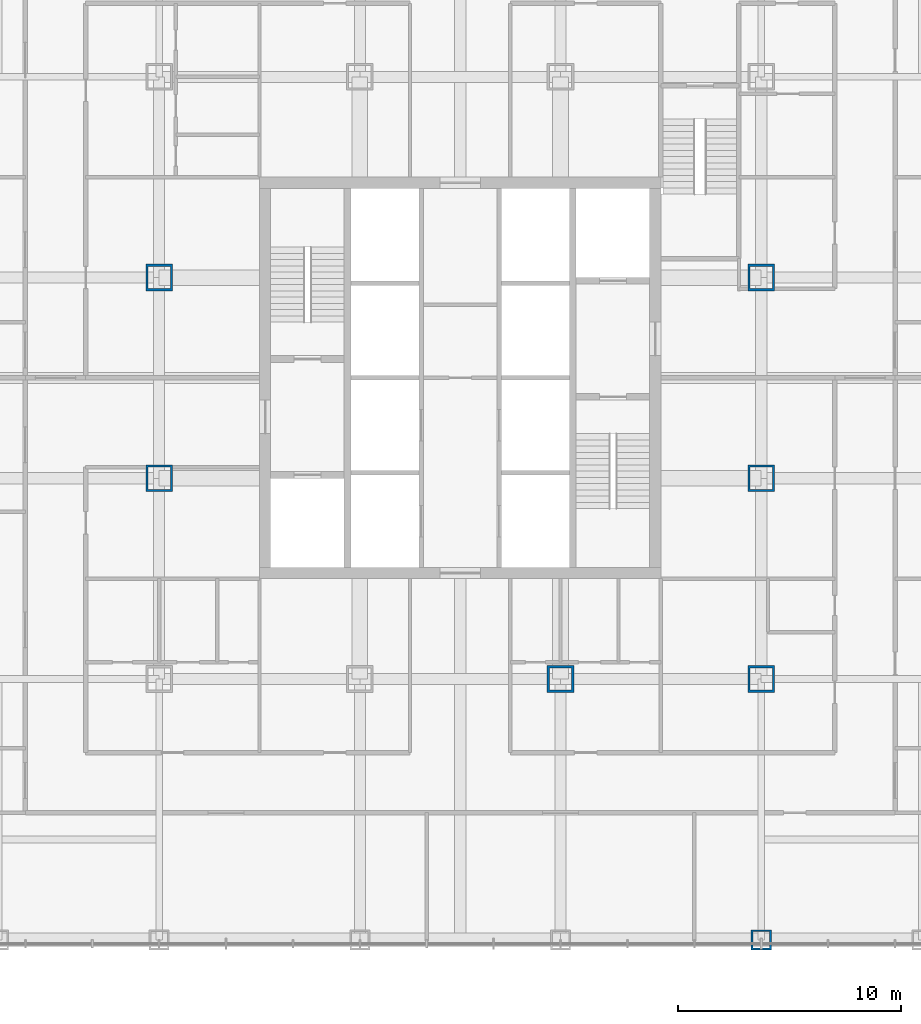
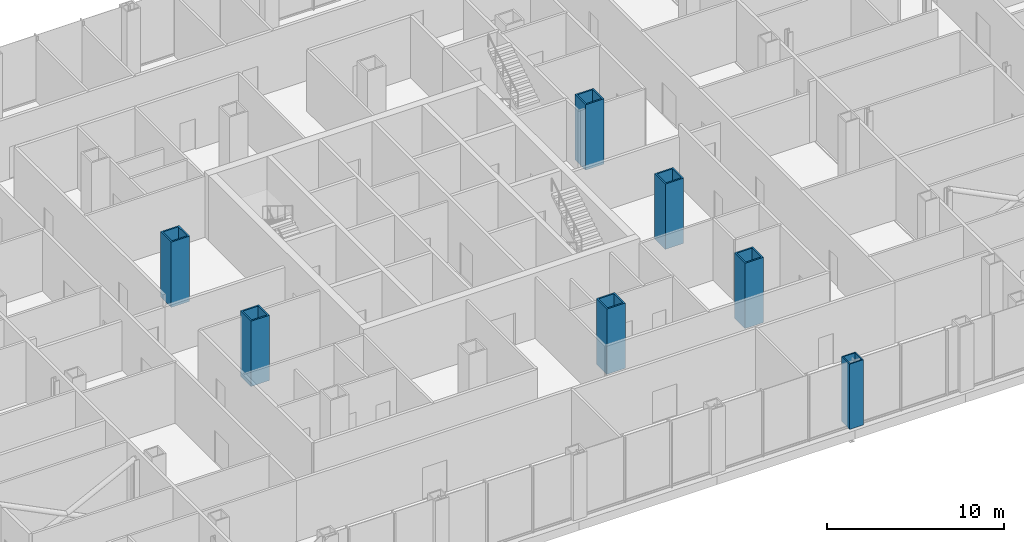
# One storey, part 2 of 25: 7 columns.
"""IFC4 building model written with IfcOpenShell, lengths in metres."""

from ifc_helpers import new_model, si_unit, direction, frame, origin, origin_2d, place, context, subcontext, project, spatial, hollow_rectangle, extrude, material, material_profile, profile_set, type_object, element, save


model = new_model("IFC4")

# Units and contexts
model_context = context("Model", 3, precision=1e-05, world=origin(), true_north=direction((0.0, 1.0)))
body_context = subcontext(model_context, "Body", "Model", "MODEL_VIEW")
ifc_project = project(units=[si_unit("LENGTHUNIT", "METRE"), si_unit("AREAUNIT", "SQUARE_METRE"), si_unit("VOLUMEUNIT", "CUBIC_METRE"), si_unit("PLANEANGLEUNIT", "RADIAN"), si_unit("MASSUNIT", "GRAM", prefix="KILO")], contexts=[model_context])

# Site, building, storey
site_placement = place(None, origin())
site = spatial("IfcSite", under=ifc_project, at=site_placement, CompositionType="ELEMENT")
building_placement = place(site_placement, origin())
building = spatial("IfcBuilding", under=site, at=building_placement, Name="Malebo Sky Hospital", CompositionType="ELEMENT")
storey_placement = place(building_placement, frame((0.0, 0.0, 16.5)))
storey = spatial("IfcBuildingStorey", under=building, at=storey_placement, Name="L03", CompositionType="ELEMENT", Elevation=16.5)

# Columns
ifc_material = material(Name="Steel S460", Category="steel")
ifc_material_profile_1 = material_profile(ifc_material, hollow_rectangle(XDim=1.199951171875, YDim=1.199951171875, WallThickness=0.10009765625, at=origin_2d()), Name="BOX 1200x1200x100")
ifc_profile_set_1 = profile_set([ifc_material_profile_1], Name="Steel S460")
column_type_1 = type_object("IfcColumnType", Name="INNER COLUMN BOX 1200x1200x100", PredefinedType="COLUMN", material=ifc_profile_set_1)
for number, where, z_axis, x_axis, name in (
    (1, (73.5, 48.5, 0.0), (0.0, 0.0, 1.0), (1.0, 0.0, 0.0), "Column IC11 L03"),
    (2, (64.5, 48.5, 0.0), (0.0, 0.0, 1.0), (1.0, 0.0, 0.0), "Column IC11 L03"),
    (3, (46.5, 57.5, 0.0), (0.0, 0.0, 1.0), (1.0, 0.0, 0.0), "Column IC11 L03"),
    (4, (46.5, 66.5, 0.0), (0.0, 0.0, 1.0), (1.0, 0.0, 0.0), "Column IC11 L03"),
    (5, (73.5, 57.5, 0.0), (0.0, 0.0, 1.0), (1.0, 0.0, 0.0), "Column IC11 L03"),
    (6, (73.5, 66.5, 0.0), (0.0, 0.0, 1.0), (1.0, 0.0, 0.0), "Column IC11 L03"),
):
    element("IfcColumn", number, at=place(storey_placement, frame(where, z_axis=z_axis, x_axis=x_axis)), inside=storey, type_object=column_type_1, Name=name, PredefinedType="COLUMN", context=body_context, shape_type="SweptSolid", body=[
        extrude(hollow_rectangle(XDim=1.199951171875, YDim=1.199951171875, WallThickness=0.10009765625, at=origin_2d()), origin(), (0.0, 0.0, 1.0), 4.5),
    ])
ifc_material_profile_2 = material_profile(ifc_material, hollow_rectangle(XDim=0.89990234375, YDim=0.89990234375, WallThickness=0.080078125, at=origin_2d()), Name="BOX 900x900x80")
ifc_profile_set_2 = profile_set([ifc_material_profile_2], Name="Steel S460")
column_type_2 = type_object("IfcColumnType", Name="PERIMETER COLUMN BOX 900x900x80", PredefinedType="COLUMN", material=ifc_profile_set_2)
column_placement = place(storey_placement, frame((73.5, 36.800048828125, 0.0), z_axis=(0.0, 0.0, 1.0), x_axis=(1.0, 0.0, 0.0)))
element("IfcColumn", 7, at=column_placement, inside=storey, type_object=column_type_2, Name="Column PC8 L03", PredefinedType="COLUMN", context=body_context, shape_type="SweptSolid", body=[
    extrude(hollow_rectangle(XDim=0.89990234375, YDim=0.89990234375, WallThickness=0.080078125, at=origin_2d()), origin(), (0.0, 0.0, 1.0), 4.5),
])

save(model, "model.ifc")
